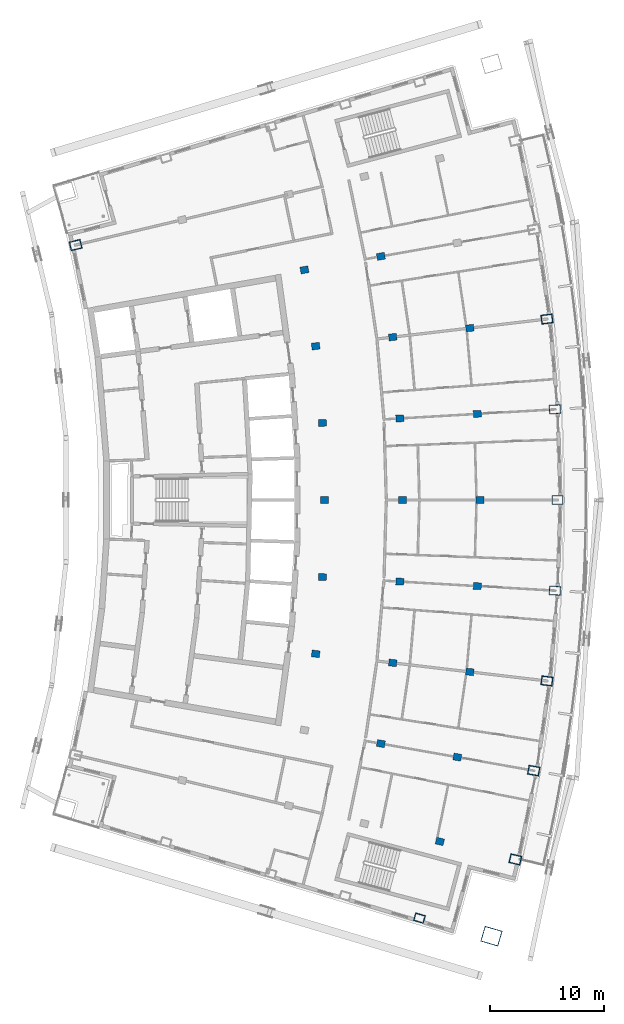
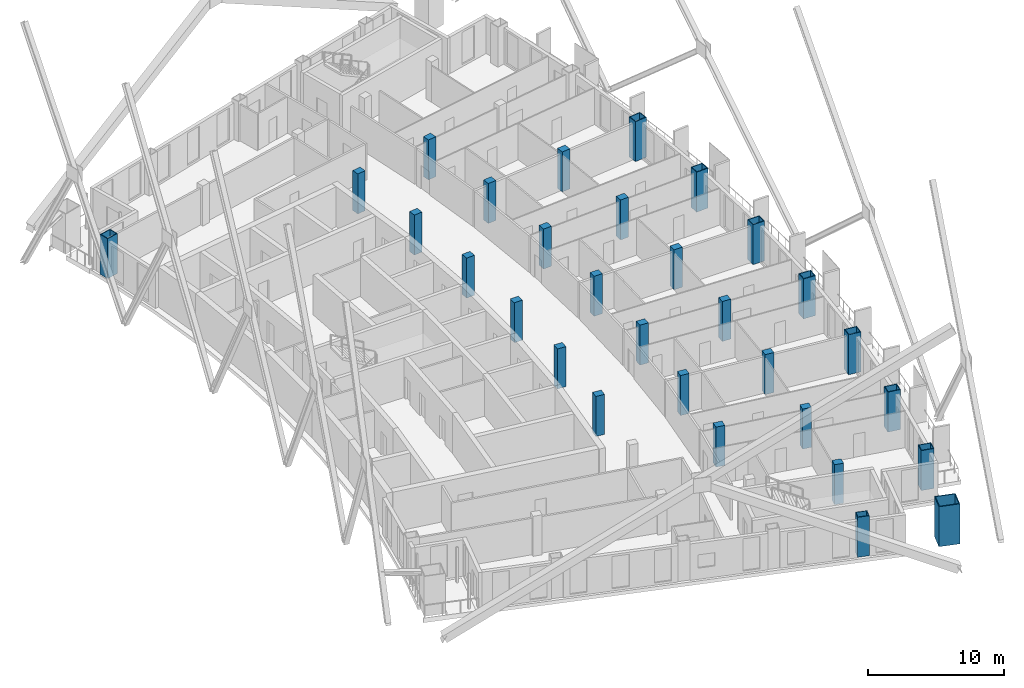
# One storey, part 4 of 21: 30 columns.
"""IFC4 building model written with IfcOpenShell, lengths in metres."""

import ifcopenshell
import ifcopenshell.guid

model = None  # the IFC model being written
_history = None  # IfcOwnerHistory: only IFC2X3 demands one
_inside = {}  # id of a spatial element -> (the spatial element, [elements in it])
_under = {}  # id of a project, library or spatial element -> (it, [spatial elements below it])
_declared = {}  # id of a project -> (the project, [libraries it declares])
_typed = {}  # id of a type object -> (the type object, [elements of that type])
_made_of = {}  # id of a material, layer set ... -> (it, [elements and type objects made of it])


def new_model(schema):
    """Start an empty IFC model of exactly this schema.

    Asked for "IFC4X3", IfcOpenShell would pick the latest addendum, in which some entities
    have other attributes; the version numbers below select the first issue.
    IFC2X3 requires an IfcOwnerHistory on every rooted entity: one is made here for all.
    """
    global model, _history
    if schema == "IFC4X3":
        model = ifcopenshell.file(schema_version=(4, 3, 0, 0))
    else:
        model = ifcopenshell.file(schema=schema)
    _inside.clear()
    _under.clear()
    _declared.clear()
    _typed.clear()
    _made_of.clear()
    _history = None
    if model.schema == "IFC2X3":
        org = make("IfcOrganization", Name="unknown")
        user = make(
            "IfcPersonAndOrganization",
            ThePerson=make("IfcPerson", FamilyName="unknown"),
            TheOrganization=org,
        )
        app = make(
            "IfcApplication",
            ApplicationDeveloper=org,
            Version="unknown",
            ApplicationFullName="unknown",
            ApplicationIdentifier="unknown",
        )
        _history = make(
            "IfcOwnerHistory",
            OwningUser=user,
            OwningApplication=app,
            ChangeAction="ADDED",
            CreationDate=0,
        )
    return model


def make(cls, **values):
    """One entity of the class cls with the attributes given. An attribute that is None is left unset."""
    return model.create_entity(
        cls, **{name: value for name, value in values.items() if value is not None}
    )


def rooted(cls, **values):
    """An entity with a GlobalId (a new one), such as an element, a storey or a relation."""
    return make(cls, GlobalId=ifcopenshell.guid.new(), OwnerHistory=_history, **values)


def si_unit(unit_type, name, prefix=None):
    """IfcSIUnit, for example si_unit("LENGTHUNIT", "METRE", prefix="MILLI")."""
    return make("IfcSIUnit", UnitType=unit_type, Prefix=prefix, Name=name)


def assignment(units):
    """IfcUnitAssignment: the units of a project."""
    return None if units is None else make("IfcUnitAssignment", Units=units)


def point(xyz):
    """IfcCartesianPoint."""
    return None if xyz is None else make("IfcCartesianPoint", Coordinates=xyz)


def direction(xyz):
    """IfcDirection."""
    return None if xyz is None else make("IfcDirection", DirectionRatios=xyz)


def frame(location, z_axis=None, x_axis=None):
    """IfcAxis2Placement3D, a coordinate frame: its origin and axes. An axis left out is left unset."""
    return make(
        "IfcAxis2Placement3D",
        Location=point(location),
        Axis=direction(z_axis),
        RefDirection=direction(x_axis),
    )


def frame_2d(location, x_axis=None):
    """IfcAxis2Placement2D, a coordinate frame in the plane: its origin and x axis."""
    return make(
        "IfcAxis2Placement2D", Location=point(location), RefDirection=direction(x_axis)
    )


def origin():
    """The frame at (0, 0, 0) with its axes left unset."""
    return frame((0.0, 0.0, 0.0))


def origin_2d():
    """The frame at (0, 0) in the plane with its x axis left unset."""
    return frame_2d((0.0, 0.0))


def place(relative_to, where):
    """IfcLocalPlacement: puts the frame where relative to a parent placement (None: the world)."""
    return make(
        "IfcLocalPlacement", PlacementRelTo=relative_to, RelativePlacement=where
    )


def context(
    kind, dimensions, precision=None, world=None, true_north=None, identifier=None
):
    """IfcGeometricRepresentationContext, for example the 3D "Model" context."""
    return make(
        "IfcGeometricRepresentationContext",
        ContextIdentifier=identifier,
        ContextType=kind,
        CoordinateSpaceDimension=dimensions,
        Precision=precision,
        WorldCoordinateSystem=world,
        TrueNorth=true_north,
    )


def subcontext(parent, identifier, kind, view, scale=None):
    """IfcGeometricRepresentationSubContext, for example "Body" below "Model"."""
    return make(
        "IfcGeometricRepresentationSubContext",
        ContextIdentifier=identifier,
        ContextType=kind,
        ParentContext=parent,
        TargetScale=scale,
        TargetView=view,
    )


def project(units=None, contexts=None):
    """IfcProject with its units and contexts."""
    return rooted(
        "IfcProject",
        Name="project",
        RepresentationContexts=contexts,
        UnitsInContext=assignment(units),
    )


def spatial(cls, under=None, at=None, **own):
    """A site, building, storey or space (cls), placed at a placement, below another one or the project."""
    s = rooted(cls, ObjectPlacement=at, **own)
    if under is not None:
        _under.setdefault(under.id(), (under, []))[1].append(s)
    return s


def profile(cls, at=None, kind="AREA", **sizes):
    """A parametric profile (cls). Its sizes go by their IFC names, for example OverallWidth=200.0."""
    return make(cls, ProfileType=kind, Position=at, **sizes)


def rectangle(**sizes):
    """IfcRectangleProfileDef."""
    return profile("IfcRectangleProfileDef", **sizes)


def hollow_rectangle(**sizes):
    """IfcRectangleHollowProfileDef."""
    return profile("IfcRectangleHollowProfileDef", **sizes)


def extrude(swept, where, along, depth):
    """IfcExtrudedAreaSolid: the profile swept, set in the frame where, extruded along a direction by depth."""
    return make(
        "IfcExtrudedAreaSolid",
        SweptArea=swept,
        Position=where,
        ExtrudedDirection=direction(along),
        Depth=depth,
    )


def shape(context_of_items, identifier, shape_type, items):
    """IfcShapeRepresentation: the items that make up one representation, for example the "Body"."""
    return make(
        "IfcShapeRepresentation",
        ContextOfItems=context_of_items,
        RepresentationIdentifier=identifier,
        RepresentationType=shape_type,
        Items=items,
    )


def material(Name=None, Category=None):
    """IfcMaterial."""
    return make("IfcMaterial", Name=Name, Category=Category)


def material_profile(
    of_material, cross_section, Name=None, Category=None, Priority=None
):
    """IfcMaterialProfile: a cross section and its material."""
    return make(
        "IfcMaterialProfile",
        Name=Name,
        Material=of_material,
        Profile=cross_section,
        Priority=Priority,
        Category=Category,
    )


def profile_set(profiles, Name=None, composite=None):
    """IfcMaterialProfileSet."""
    return make(
        "IfcMaterialProfileSet",
        Name=Name,
        MaterialProfiles=profiles,
        CompositeProfile=composite,
    )


def made_of(thing, what):
    """Note that an element or type object is made of a material, layer set ...; save() writes the relation."""
    if what is not None:
        _made_of.setdefault(what.id(), (what, []))[1].append(thing)
    return thing


def type_object(cls, material=None, **own):
    """A type object (cls), such as IfcWallType, which elements share."""
    return made_of(rooted(cls, **own), material)


def element(
    cls,
    number,
    at=None,
    inside=None,
    cuts=None,
    type_object=None,
    material=None,
    context=None,
    identifier="Body",
    shape_type=None,
    held_by="IfcProductDefinitionShape",
    body=None,
    shapes=None,
    **own,
):
    """One element of the class cls, such as IfcWall. Its Tag is "e" and its number.

    at: its placement. inside: the storey or other place that contains it. cuts: it is an
    opening in that element (IfcRelVoidsElement). A single representation is given by context,
    identifier, shape_type and body (its items); several are given by shapes. held_by: the class
    of the entity that holds the representations. save() writes the other relations.
    """
    e = rooted(cls, Tag="e%d" % number, ObjectPlacement=at, **own)
    if body is not None:
        shapes = [shape(context, identifier, shape_type, body)]
    if shapes is not None:
        e.Representation = make(held_by, Representations=shapes)
    if inside is not None:
        _inside.setdefault(inside.id(), (inside, []))[1].append(e)
    if cuts is not None:
        rooted(
            "IfcRelVoidsElement", RelatingBuildingElement=cuts, RelatedOpeningElement=e
        )
    if type_object is not None:
        _typed.setdefault(type_object.id(), (type_object, []))[1].append(e)
    return made_of(e, material)


def aggregate(whole, parts):
    """IfcRelAggregates: a whole, such as a stair, and the parts it consists of."""
    return rooted("IfcRelAggregates", RelatingObject=whole, RelatedObjects=parts)


def save(model, path):
    """Write the relations noted so far, then the file.

    IfcRelAggregates (storeys below a building ...), IfcRelContainedInSpatialStructure (elements
    in a storey), IfcRelDefinesByType, IfcRelAssociatesMaterial and IfcRelDeclares: one each for
    every whole, place, type object, material and project.
    """
    for whole, parts in _under.values():
        aggregate(whole, parts)
    for where, things in _inside.values():
        rooted(
            "IfcRelContainedInSpatialStructure",
            RelatedElements=things,
            RelatingStructure=where,
        )
    for kind, things in _typed.values():
        rooted("IfcRelDefinesByType", RelatedObjects=things, RelatingType=kind)
    for what, things in _made_of.values():
        rooted("IfcRelAssociatesMaterial", RelatedObjects=things, RelatingMaterial=what)
    for by, libraries in _declared.values():
        rooted("IfcRelDeclares", RelatingContext=by, RelatedDefinitions=libraries)
    model.write(path)


model = new_model("IFC4")

# Units and contexts
model_context = context("Model", 3, precision=1e-05, world=origin(), true_north=direction((0.0, 1.0)))
body_context = subcontext(model_context, "Body", "Model", "MODEL_VIEW")
ifc_project = project(units=[si_unit("LENGTHUNIT", "METRE"), si_unit("AREAUNIT", "SQUARE_METRE"), si_unit("VOLUMEUNIT", "CUBIC_METRE"), si_unit("PLANEANGLEUNIT", "RADIAN"), si_unit("MASSUNIT", "GRAM", prefix="KILO")], contexts=[model_context])

# Site, building, storey
site_placement = place(None, origin())
site = spatial("IfcSite", under=ifc_project, at=site_placement, CompositionType="ELEMENT")
building_placement = place(site_placement, origin())
building = spatial("IfcBuilding", under=site, at=building_placement, Name="Alderwake Tower", CompositionType="ELEMENT")
storey_placement = place(building_placement, frame((0.0, 0.0, 267.199951171875)))
storey = spatial("IfcBuildingStorey", under=building, at=storey_placement, Name="L66", CompositionType="ELEMENT", Elevation=267.199951171875)

# Columns
ifc_material_1 = material(Name="Steel ASTM A572 Grade 50 concrete filled C70/85", Category="concrete")
ifc_material_profile_1 = material_profile(ifc_material_1, hollow_rectangle(XDim=0.699951171875, YDim=0.89990234375, WallThickness=0.050048828125, at=origin_2d()), Name="BOX 900X700X50")
ifc_profile_set_1 = profile_set([ifc_material_profile_1], Name="Steel ASTM A572 Grade 50 concrete filled C70/85")
column_type_1 = type_object("IfcColumnType", Name="End column Z5", PredefinedType="COLUMN", material=ifc_profile_set_1)
column_1_placement = place(storey_placement, frame((44.106201171875, 24.3662109375, 0.0), z_axis=(0.0, 0.0, 1.0), x_axis=(0.28310485669, 0.95908896361, 0.0)))
element("IfcColumn", 1, at=column_1_placement, inside=storey, type_object=column_type_1, Name="Column R02-C4", PredefinedType="COLUMN", context=body_context, shape_type="SweptSolid", body=[
    extrude(hollow_rectangle(XDim=0.699951171875, YDim=0.89990234375, WallThickness=0.050048828125, at=origin_2d()), origin(), (0.0, 0.0, 1.0), 3.60009765625),
])
ifc_material_2 = material(Name="Concrete C70/85", Category="concrete")
ifc_material_profile_2 = material_profile(ifc_material_2, rectangle(XDim=0.60009765625, YDim=0.699951171875, at=origin_2d()), Name="RC 700X600")
ifc_profile_set_2 = profile_set([ifc_material_profile_2], Name="Concrete C70/85")
column_type_2 = type_object("IfcColumnType", Name="Interior column Z5", PredefinedType="COLUMN", material=ifc_profile_set_2)
for number, where, z_axis, x_axis, name in (
    (2, (45.893310546875, 31.079833984375, 0.0), (0.0, 0.0, 1.0), (0.231221547198, 0.972901123502, 0.0), "Column R03-C4"),
    (3, (40.7275390625, 39.654296875, 0.0), (0.0, 0.0, 1.0), (0.174108800747, 0.984726421654, 0.0), "Column R04-C3"),
    (4, (47.423583984375, 38.470458984375, 0.0), (0.0, 0.0, 1.0), (0.174108800747, 0.984726421654, 0.0), "Column R04-C4"),
    (5, (35.0126953125, 47.5205078125, 0.0), (0.0, 0.0, 1.0), (0.116402054316, 0.993202175668, 0.0), "Column R05-C2"),
    (6, (41.7666015625, 46.72900390625, 0.0), (0.0, 0.0, 1.0), (0.116402054316, 0.993202175668, 0.0), "Column R05-C3"),
    (7, (48.5205078125, 45.9375, 0.0), (0.0, 0.0, 1.0), (0.116402054316, 0.993202175668, 0.0), "Column R05-C4"),
    (8, (35.60302734375, 54.248779296875, 0.0), (0.0, 0.0, 1.0), (0.058301061284, 0.998299046505, 0.0), "Column R06-C2"),
    (9, (42.3916015625, 53.852294921875, 0.0), (0.0, 0.0, 1.0), (0.058299318924, 0.998299148258, 0.0), "Column R06-C3"),
    (10, (49.179931640625, 53.455810546875, 0.0), (0.0, 0.0, 1.0), (0.058301061284, 0.998299046505, 0.0), "Column R06-C4"),
    (11, (35.800048828125, 61.0, 0.0), (0.0, 0.0, 1.0), (0.0, 1.0, 0.0), "Column R07-C2"),
    (12, (42.60009765625, 61.0, 0.0), (0.0, 0.0, 1.0), (0.0, 1.0, 0.0), "Column R07-C3"),
    (13, (49.39990234375, 61.0, 0.0), (0.0, 0.0, 1.0), (0.0, 1.0, 0.0), "Column R07-C4"),
    (14, (35.60302734375, 67.751220703125, 0.0), (0.0, 0.0, 1.0), (-0.058301061284, 0.998299046505, 0.0), "Column R08-C2"),
    (15, (42.3916015625, 68.147705078125, 0.0), (0.0, 0.0, 1.0), (-0.058299318924, 0.998299148258, 0.0), "Column R08-C3"),
    (16, (49.179931640625, 68.544189453125, 0.0), (0.0, 0.0, 1.0), (-0.058301061284, 0.998299046505, 0.0), "Column R08-C4"),
    (17, (35.0126953125, 74.4794921875, 0.0), (0.0, 0.0, 1.0), (-0.116402054316, 0.993202175668, 0.0), "Column R09-C2"),
    (18, (41.7666015625, 75.27099609375, 0.0), (0.0, 0.0, 1.0), (-0.116402054316, 0.993202175668, 0.0), "Column R09-C3"),
    (19, (48.5205078125, 76.0625, 0.0), (0.0, 0.0, 1.0), (-0.116402054316, 0.993202175668, 0.0), "Column R09-C4"),
    (20, (34.03125, 81.16162109375, 0.0), (0.0, 0.0, 1.0), (-0.174108800747, 0.984726421654, 0.0), "Column R10-C2"),
    (21, (40.7275390625, 82.345703125, 0.0), (0.0, 0.0, 1.0), (-0.174108800747, 0.984726421654, 0.0), "Column R10-C3"),
):
    element("IfcColumn", number, at=place(storey_placement, frame(where, z_axis=z_axis, x_axis=x_axis)), inside=storey, type_object=column_type_2, Name=name, PredefinedType="COLUMN", context=body_context, shape_type="SweptSolid", body=[
        extrude(rectangle(XDim=0.60009765625, YDim=0.699951171875, at=origin_2d()), origin(), (0.0, 0.0, 1.0), 3.60009765625),
    ])
ifc_material_3 = material(Name="Steel ASTM A572 Grade 50 concrete filled C70/85", Category="concrete")
ifc_material_profile_3 = material_profile(ifc_material_3, hollow_rectangle(XDim=1.39990234375, YDim=1.60009765625, WallThickness=0.070068359375, at=origin_2d()), Name="BOX 1600X1400X70")
ifc_profile_set_3 = profile_set([ifc_material_profile_3], Name="Steel ASTM A572 Grade 50 concrete filled C70/85")
column_type_3 = type_object("IfcColumnType", Name="Mega column Z5", PredefinedType="COLUMN", material=ifc_profile_set_3)
column_2_placement = place(storey_placement, frame((50.415771484375, 22.782958984375, 0.0), z_axis=(0.0, 0.0, 1.0), x_axis=(0.281214445816, 0.959644952816, 0.0)))
element("IfcColumn", 22, at=column_2_placement, inside=storey, type_object=column_type_3, Name="Column R02-C5", PredefinedType="COLUMN", context=body_context, shape_type="SweptSolid", body=[
    extrude(hollow_rectangle(XDim=1.39990234375, YDim=1.60009765625, WallThickness=0.070068359375, at=origin_2d()), origin(), (0.0, 0.0, 1.0), 3.60009765625),
])
ifc_material_4 = material(Name="Steel ASTM A572 Grade 50 concrete filled C70/85", Category="concrete")
ifc_material_profile_4 = material_profile(ifc_material_4, hollow_rectangle(XDim=0.800048828125, YDim=1.0, WallThickness=0.054931640625, at=origin_2d()), Name="BOX 1000X800X55")
ifc_profile_set_4 = profile_set([ifc_material_profile_4], Name="Steel ASTM A572 Grade 50 concrete filled C70/85")
column_type_4 = type_object("IfcColumnType", Name="Perimeter column Z5", PredefinedType="COLUMN", material=ifc_profile_set_4)
for number, where, z_axis, x_axis, name in (
    (23, (52.509033203125, 29.507568359375, 0.0), (0.0, 0.0, 1.0), (0.231221547198, 0.972901123502, 0.0), "Column R03-C5"),
    (24, (54.119873046875, 37.28662109375, 0.0), (0.0, 0.0, 1.0), (0.174107082075, 0.984726725529, 0.0), "Column R04-C5"),
    (25, (55.274169921875, 45.14599609375, 0.0), (0.0, 0.0, 1.0), (0.116402054316, 0.993202175668, 0.0), "Column R05-C5"),
    (26, (55.96826171875, 53.0595703125, 0.0), (0.0, 0.0, 1.0), (0.058301061284, 0.998299046505, 0.0), "Column R06-C5"),
    (27, (56.199951171875, 61.0, 0.0), (0.0, 0.0, 1.0), (0.0, 1.0, 0.0), "Column R07-C5"),
    (28, (55.96826171875, 68.9404296875, 0.0), (0.0, 0.0, 1.0), (-0.058301061284, 0.998299046505, 0.0), "Column R08-C5"),
    (29, (55.274169921875, 76.85400390625, 0.0), (0.0, 0.0, 1.0), (-0.116402054316, 0.993202175668, 0.0), "Column R09-C5"),
    (30, (13.982177734375, 83.3359375, 0.0), (0.0, 0.0, 1.0), (-0.231221547198, 0.972901123502, 0.0), "Column R11-C0"),
):
    element("IfcColumn", number, at=place(storey_placement, frame(where, z_axis=z_axis, x_axis=x_axis)), inside=storey, type_object=column_type_4, Name=name, PredefinedType="COLUMN", context=body_context, shape_type="SweptSolid", body=[
        extrude(hollow_rectangle(XDim=0.800048828125, YDim=1.0, WallThickness=0.054931640625, at=origin_2d()), origin(), (0.0, 0.0, 1.0), 3.60009765625),
    ])

save(model, "model.ifc")
